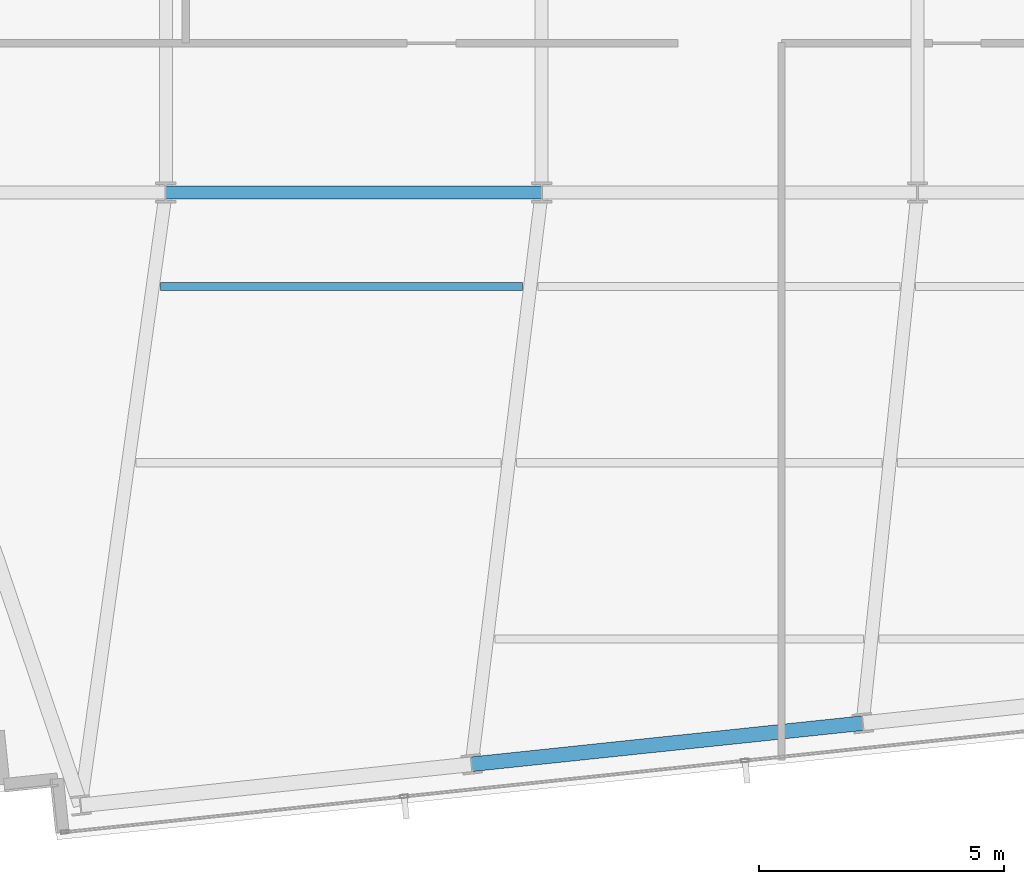
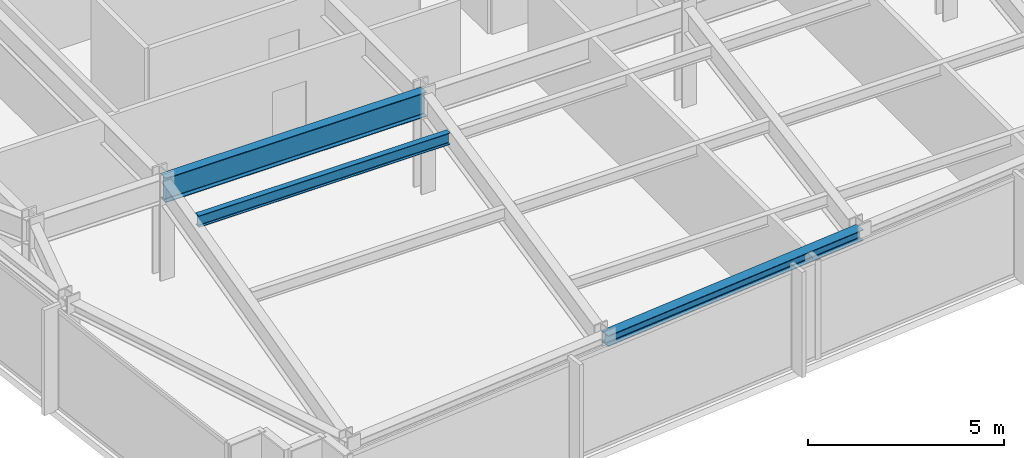
# One storey, part 6 of 32: 3 beams.
"""IFC4 building model written with IfcOpenShell, lengths in metres."""

import ifcopenshell
import ifcopenshell.guid

model = None  # the IFC model being written
_history = None  # IfcOwnerHistory: only IFC2X3 demands one
_inside = {}  # id of a spatial element -> (the spatial element, [elements in it])
_under = {}  # id of a project, library or spatial element -> (it, [spatial elements below it])
_declared = {}  # id of a project -> (the project, [libraries it declares])
_typed = {}  # id of a type object -> (the type object, [elements of that type])
_made_of = {}  # id of a material, layer set ... -> (it, [elements and type objects made of it])


def new_model(schema):
    """Start an empty IFC model of exactly this schema.

    Asked for "IFC4X3", IfcOpenShell would pick the latest addendum, in which some entities
    have other attributes; the version numbers below select the first issue.
    IFC2X3 requires an IfcOwnerHistory on every rooted entity: one is made here for all.
    """
    global model, _history
    if schema == "IFC4X3":
        model = ifcopenshell.file(schema_version=(4, 3, 0, 0))
    else:
        model = ifcopenshell.file(schema=schema)
    _inside.clear()
    _under.clear()
    _declared.clear()
    _typed.clear()
    _made_of.clear()
    _history = None
    if model.schema == "IFC2X3":
        org = make("IfcOrganization", Name="unknown")
        user = make(
            "IfcPersonAndOrganization",
            ThePerson=make("IfcPerson", FamilyName="unknown"),
            TheOrganization=org,
        )
        app = make(
            "IfcApplication",
            ApplicationDeveloper=org,
            Version="unknown",
            ApplicationFullName="unknown",
            ApplicationIdentifier="unknown",
        )
        _history = make(
            "IfcOwnerHistory",
            OwningUser=user,
            OwningApplication=app,
            ChangeAction="ADDED",
            CreationDate=0,
        )
    return model


def make(cls, **values):
    """One entity of the class cls with the attributes given. An attribute that is None is left unset."""
    return model.create_entity(
        cls, **{name: value for name, value in values.items() if value is not None}
    )


def rooted(cls, **values):
    """An entity with a GlobalId (a new one), such as an element, a storey or a relation."""
    return make(cls, GlobalId=ifcopenshell.guid.new(), OwnerHistory=_history, **values)


def si_unit(unit_type, name, prefix=None):
    """IfcSIUnit, for example si_unit("LENGTHUNIT", "METRE", prefix="MILLI")."""
    return make("IfcSIUnit", UnitType=unit_type, Prefix=prefix, Name=name)


def assignment(units):
    """IfcUnitAssignment: the units of a project."""
    return None if units is None else make("IfcUnitAssignment", Units=units)


def point(xyz):
    """IfcCartesianPoint."""
    return None if xyz is None else make("IfcCartesianPoint", Coordinates=xyz)


def direction(xyz):
    """IfcDirection."""
    return None if xyz is None else make("IfcDirection", DirectionRatios=xyz)


def frame(location, z_axis=None, x_axis=None):
    """IfcAxis2Placement3D, a coordinate frame: its origin and axes. An axis left out is left unset."""
    return make(
        "IfcAxis2Placement3D",
        Location=point(location),
        Axis=direction(z_axis),
        RefDirection=direction(x_axis),
    )


def frame_2d(location, x_axis=None):
    """IfcAxis2Placement2D, a coordinate frame in the plane: its origin and x axis."""
    return make(
        "IfcAxis2Placement2D", Location=point(location), RefDirection=direction(x_axis)
    )


def origin():
    """The frame at (0, 0, 0) with its axes left unset."""
    return frame((0.0, 0.0, 0.0))


def origin_2d():
    """The frame at (0, 0) in the plane with its x axis left unset."""
    return frame_2d((0.0, 0.0))


def place(relative_to, where):
    """IfcLocalPlacement: puts the frame where relative to a parent placement (None: the world)."""
    return make(
        "IfcLocalPlacement", PlacementRelTo=relative_to, RelativePlacement=where
    )


def context(
    kind, dimensions, precision=None, world=None, true_north=None, identifier=None
):
    """IfcGeometricRepresentationContext, for example the 3D "Model" context."""
    return make(
        "IfcGeometricRepresentationContext",
        ContextIdentifier=identifier,
        ContextType=kind,
        CoordinateSpaceDimension=dimensions,
        Precision=precision,
        WorldCoordinateSystem=world,
        TrueNorth=true_north,
    )


def subcontext(parent, identifier, kind, view, scale=None):
    """IfcGeometricRepresentationSubContext, for example "Body" below "Model"."""
    return make(
        "IfcGeometricRepresentationSubContext",
        ContextIdentifier=identifier,
        ContextType=kind,
        ParentContext=parent,
        TargetScale=scale,
        TargetView=view,
    )


def project(units=None, contexts=None):
    """IfcProject with its units and contexts."""
    return rooted(
        "IfcProject",
        Name="project",
        RepresentationContexts=contexts,
        UnitsInContext=assignment(units),
    )


def spatial(cls, under=None, at=None, **own):
    """A site, building, storey or space (cls), placed at a placement, below another one or the project."""
    s = rooted(cls, ObjectPlacement=at, **own)
    if under is not None:
        _under.setdefault(under.id(), (under, []))[1].append(s)
    return s


def profile(cls, at=None, kind="AREA", **sizes):
    """A parametric profile (cls). Its sizes go by their IFC names, for example OverallWidth=200.0."""
    return make(cls, ProfileType=kind, Position=at, **sizes)


def i_section(**sizes):
    """IfcIShapeProfileDef."""
    return profile("IfcIShapeProfileDef", **sizes)


def extrude(swept, where, along, depth):
    """IfcExtrudedAreaSolid: the profile swept, set in the frame where, extruded along a direction by depth."""
    return make(
        "IfcExtrudedAreaSolid",
        SweptArea=swept,
        Position=where,
        ExtrudedDirection=direction(along),
        Depth=depth,
    )


def shape(context_of_items, identifier, shape_type, items):
    """IfcShapeRepresentation: the items that make up one representation, for example the "Body"."""
    return make(
        "IfcShapeRepresentation",
        ContextOfItems=context_of_items,
        RepresentationIdentifier=identifier,
        RepresentationType=shape_type,
        Items=items,
    )


def material(Name=None, Category=None):
    """IfcMaterial."""
    return make("IfcMaterial", Name=Name, Category=Category)


def material_profile(
    of_material, cross_section, Name=None, Category=None, Priority=None
):
    """IfcMaterialProfile: a cross section and its material."""
    return make(
        "IfcMaterialProfile",
        Name=Name,
        Material=of_material,
        Profile=cross_section,
        Priority=Priority,
        Category=Category,
    )


def profile_set(profiles, Name=None, composite=None):
    """IfcMaterialProfileSet."""
    return make(
        "IfcMaterialProfileSet",
        Name=Name,
        MaterialProfiles=profiles,
        CompositeProfile=composite,
    )


def made_of(thing, what):
    """Note that an element or type object is made of a material, layer set ...; save() writes the relation."""
    if what is not None:
        _made_of.setdefault(what.id(), (what, []))[1].append(thing)
    return thing


def type_object(cls, material=None, **own):
    """A type object (cls), such as IfcWallType, which elements share."""
    return made_of(rooted(cls, **own), material)


def element(
    cls,
    number,
    at=None,
    inside=None,
    cuts=None,
    type_object=None,
    material=None,
    context=None,
    identifier="Body",
    shape_type=None,
    held_by="IfcProductDefinitionShape",
    body=None,
    shapes=None,
    **own,
):
    """One element of the class cls, such as IfcWall. Its Tag is "e" and its number.

    at: its placement. inside: the storey or other place that contains it. cuts: it is an
    opening in that element (IfcRelVoidsElement). A single representation is given by context,
    identifier, shape_type and body (its items); several are given by shapes. held_by: the class
    of the entity that holds the representations. save() writes the other relations.
    """
    e = rooted(cls, Tag="e%d" % number, ObjectPlacement=at, **own)
    if body is not None:
        shapes = [shape(context, identifier, shape_type, body)]
    if shapes is not None:
        e.Representation = make(held_by, Representations=shapes)
    if inside is not None:
        _inside.setdefault(inside.id(), (inside, []))[1].append(e)
    if cuts is not None:
        rooted(
            "IfcRelVoidsElement", RelatingBuildingElement=cuts, RelatedOpeningElement=e
        )
    if type_object is not None:
        _typed.setdefault(type_object.id(), (type_object, []))[1].append(e)
    return made_of(e, material)


def aggregate(whole, parts):
    """IfcRelAggregates: a whole, such as a stair, and the parts it consists of."""
    return rooted("IfcRelAggregates", RelatingObject=whole, RelatedObjects=parts)


def save(model, path):
    """Write the relations noted so far, then the file.

    IfcRelAggregates (storeys below a building ...), IfcRelContainedInSpatialStructure (elements
    in a storey), IfcRelDefinesByType, IfcRelAssociatesMaterial and IfcRelDeclares: one each for
    every whole, place, type object, material and project.
    """
    for whole, parts in _under.values():
        aggregate(whole, parts)
    for where, things in _inside.values():
        rooted(
            "IfcRelContainedInSpatialStructure",
            RelatedElements=things,
            RelatingStructure=where,
        )
    for kind, things in _typed.values():
        rooted("IfcRelDefinesByType", RelatedObjects=things, RelatingType=kind)
    for what, things in _made_of.values():
        rooted("IfcRelAssociatesMaterial", RelatedObjects=things, RelatingMaterial=what)
    for by, libraries in _declared.values():
        rooted("IfcRelDeclares", RelatingContext=by, RelatedDefinitions=libraries)
    model.write(path)


model = new_model("IFC4")

# Units and contexts
model_context = context("Model", 3, precision=1e-05, world=origin(), true_north=direction((0.0, 1.0)))
body_context = subcontext(model_context, "Body", "Model", "MODEL_VIEW")
ifc_project = project(units=[si_unit("LENGTHUNIT", "METRE"), si_unit("AREAUNIT", "SQUARE_METRE"), si_unit("VOLUMEUNIT", "CUBIC_METRE"), si_unit("PLANEANGLEUNIT", "RADIAN"), si_unit("MASSUNIT", "GRAM", prefix="KILO")], contexts=[model_context])

# Site, building, storey
site_placement = place(None, origin())
site = spatial("IfcSite", under=ifc_project, at=site_placement, CompositionType="ELEMENT")
building_placement = place(site_placement, origin())
building = spatial("IfcBuilding", under=site, at=building_placement, Name="Yelkora Congress Tower", CompositionType="ELEMENT")
storey_placement = place(building_placement, frame((0.0, 0.0, 207.800048828125)))
storey = spatial("IfcBuildingStorey", under=building, at=storey_placement, Name="L57", CompositionType="ELEMENT", Elevation=207.800048828125)

# Beams
ifc_material = material(Name="Steel S355J2", Category="steel")
ifc_material_profile_1 = material_profile(ifc_material, i_section(OverallWidth=0.26708984375, OverallDepth=0.761962890625, WebThickness=0.014404296875, FlangeThickness=0.021484375, FilletRadius=0.01708984375, at=origin_2d()), Name="IPE 750x173")
ifc_profile_set_1 = profile_set([ifc_material_profile_1], Name="Steel S355J2")
beam_type_1 = type_object("IfcBeamType", Name="BM-GIRD-IPE750", PredefinedType="BEAM", material=ifc_profile_set_1)
beam_1_placement = place(storey_placement, frame((23.0400390625, 25.199951171875, 2.698974609375), z_axis=(1.0, 0.0, 0.0), x_axis=(0.0, 1.0, 0.0)))
element("IfcBeam", 1, at=beam_1_placement, inside=storey, type_object=beam_type_1, Name="L57 Spine Grid D Girder 2", PredefinedType="BEAM", context=body_context, shape_type="SweptSolid", body=[
    extrude(i_section(OverallWidth=0.26708984375, OverallDepth=0.761962890625, WebThickness=0.014404296875, FlangeThickness=0.021484375, FilletRadius=0.01708984375, at=origin_2d()), origin(), (0.0, 0.0, 1.0), 7.679931640625),
])
ifc_material_profile_2 = material_profile(ifc_material, i_section(OverallWidth=0.169921875, OverallDepth=0.360107421875, WebThickness=0.008056640625, FlangeThickness=0.0126953125, FilletRadius=0.01806640625, at=origin_2d()), Name="IPE 360")
ifc_profile_set_2 = profile_set([ifc_material_profile_2], Name="Steel S355J2")
beam_type_2 = type_object("IfcBeamType", Name="BM-JOIST-IPE360", PredefinedType="JOIST", material=ifc_profile_set_2)
beam_2_placement = place(storey_placement, frame((22.932861328125, 23.278564453125, 2.89990234375), z_axis=(1.0, 0.0, 0.0), x_axis=(0.0, 1.0, 0.0)))
element("IfcBeam", 2, at=beam_2_placement, inside=storey, type_object=beam_type_2, Name="L57 Composite Floor Joist 9", PredefinedType="JOIST", context=body_context, shape_type="SweptSolid", body=[
    extrude(i_section(OverallWidth=0.169921875, OverallDepth=0.360107421875, WebThickness=0.008056640625, FlangeThickness=0.0126953125, FilletRadius=0.01806640625, at=origin_2d()), origin(), (0.0, 0.0, 1.0), 7.3916015625),
])
ifc_material_profile_3 = material_profile(ifc_material, i_section(OverallWidth=0.300048828125, OverallDepth=0.340087890625, WebThickness=0.011962890625, FlangeThickness=0.021484375, FilletRadius=0.027099609375, at=origin_2d()), Name="HEB 340")
ifc_profile_set_3 = profile_set([ifc_material_profile_3], Name="Steel S355J2")
beam_type_3 = type_object("IfcBeamType", Name="BM-SPAN-HEB340", PredefinedType="SPANDREL", material=ifc_profile_set_3)
beam_3_placement = place(storey_placement, frame((29.288330078125, 13.518310546875, 2.909912109375), z_axis=(0.994523256947, 0.104515507904, 0.0), x_axis=(-0.104515507904, 0.994523256947, 0.0)))
element("IfcBeam", 3, at=beam_3_placement, inside=storey, type_object=beam_type_3, Name="L57 Perimeter Beam 4", PredefinedType="SPANDREL", context=body_context, shape_type="SweptSolid", body=[
    extrude(i_section(OverallWidth=0.300048828125, OverallDepth=0.340087890625, WebThickness=0.011962890625, FlangeThickness=0.021484375, FilletRadius=0.027099609375, at=origin_2d()), origin(), (0.0, 0.0, 1.0), 8.033203125),
])

save(model, "model.ifc")
